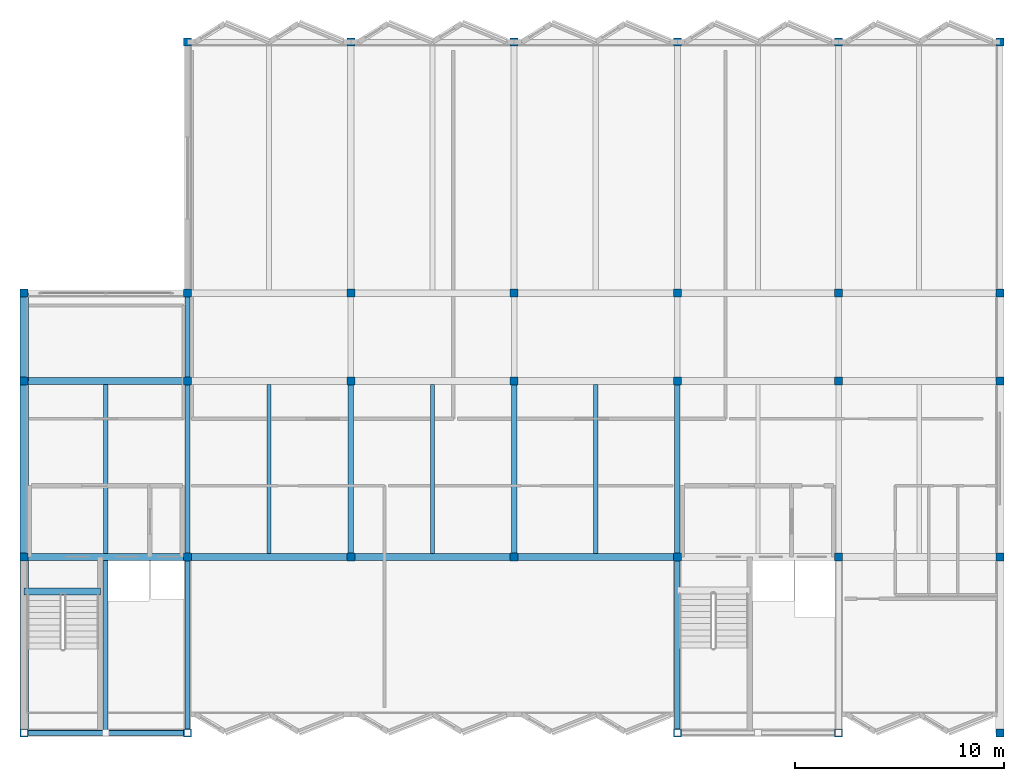
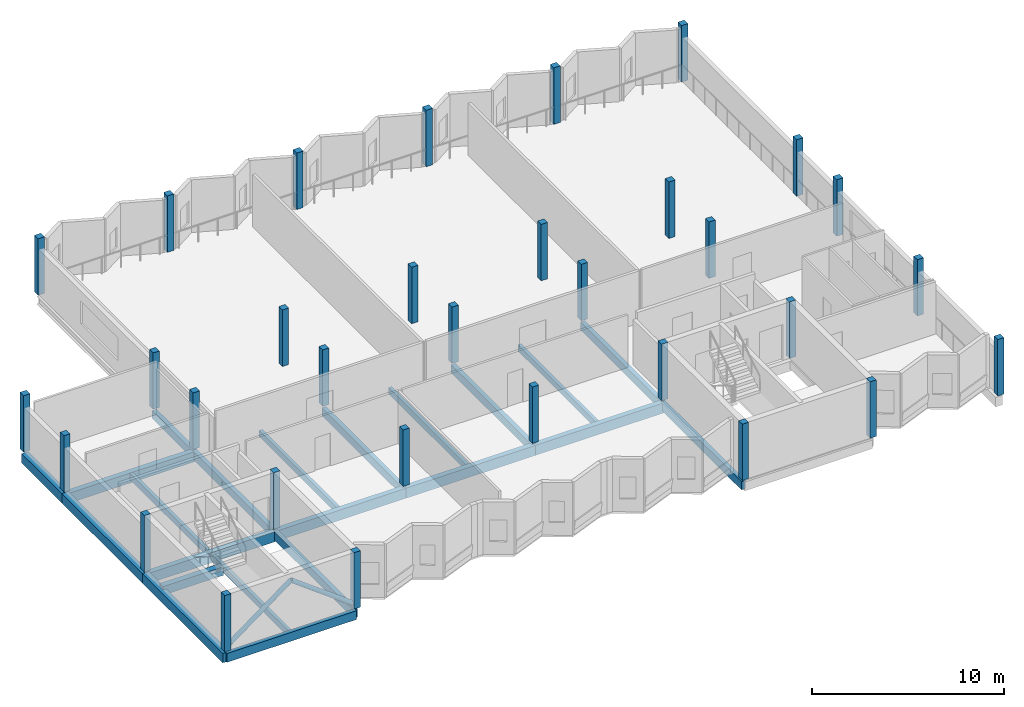
# One storey, part 1 of 11: 32 columns, 22 beams, 2 members.
"""IFC4 building model written with IfcOpenShell, lengths in metres."""

from ifc_helpers import new_model, si_unit, direction, frame, origin, origin_2d, place, context, subcontext, project, spatial, rectangle, hollow_circle, extrude, material, material_profile, profile_set, type_object, element, save


model = new_model("IFC4")

# Units and contexts
model_context = context("Model", 3, precision=1e-05, world=origin(), true_north=direction((0.0, 1.0)))
body_context = subcontext(model_context, "Body", "Model", "MODEL_VIEW")
ifc_project = project(units=[si_unit("LENGTHUNIT", "METRE"), si_unit("AREAUNIT", "SQUARE_METRE"), si_unit("VOLUMEUNIT", "CUBIC_METRE"), si_unit("PLANEANGLEUNIT", "RADIAN"), si_unit("MASSUNIT", "GRAM", prefix="KILO")], contexts=[model_context])

# Site, building, storey
site_placement = place(None, origin())
site = spatial("IfcSite", under=ifc_project, at=site_placement, CompositionType="ELEMENT")
building_placement = place(site_placement, origin())
building = spatial("IfcBuilding", under=site, at=building_placement, Name="Vharandega Faculty of Natural Sciences", CompositionType="ELEMENT")
storey_placement = place(building_placement, frame((0.0, 0.0, 36.0)))
storey = spatial("IfcBuildingStorey", under=building, at=storey_placement, Name="L09", CompositionType="ELEMENT", Elevation=36.0)

# Columns
ifc_material_1 = material(Name="Glulam GL32h", Category="wood")
ifc_material_profile_1 = material_profile(ifc_material_1, rectangle(XDim=0.3798828125, YDim=0.3798828125, at=origin_2d()), Name="GL32h 380x380")
ifc_profile_set_1 = profile_set([ifc_material_profile_1], Name="Glulam GL32h")
column_type = type_object("IfcColumnType", Name="Glulam Column 380x380", PredefinedType="COLUMN", material=ifc_profile_set_1)
for number, where, z_axis, x_axis, name in (
    (1, (114.800048828125, 64.0, 0.0), (0.0, 0.0, 1.0), (1.0, 0.0, 0.0), "Column 15/J L09"),
    (2, (114.800048828125, 72.39990234375, 0.0), (0.0, 0.0, 1.0), (1.0, 0.0, 0.0), "Column 15/K L09"),
    (3, (114.800048828125, 80.800048828125, 0.0), (0.0, 0.0, 1.0), (1.0, 0.0, 0.0), "Column 15/L L09"),
    (4, (114.800048828125, 85.0, 0.0), (0.0, 0.0, 1.0), (1.0, 0.0, 0.0), "Column 15/M L09"),
    (5, (122.60009765625, 64.0, 0.0), (0.0, 0.0, 1.0), (1.0, 0.0, 0.0), "Column 16/J L09"),
    (6, (122.60009765625, 72.39990234375, 0.0), (0.0, 0.0, 1.0), (1.0, 0.0, 0.0), "Column 16/K L09"),
    (7, (122.60009765625, 80.800048828125, 0.0), (0.0, 0.0, 1.0), (1.0, 0.0, 0.0), "Column 16/L L09"),
    (8, (122.60009765625, 85.0, 0.0), (0.0, 0.0, 1.0), (1.0, 0.0, 0.0), "Column 16/M L09"),
    (9, (122.60009765625, 97.0, 0.0), (0.0, 0.0, 1.0), (1.0, 0.0, 0.0), "Column 16/N L09"),
    (10, (130.39990234375, 72.39990234375, 0.0), (0.0, 0.0, 1.0), (1.0, 0.0, 0.0), "Column 17/K L09"),
    (11, (130.39990234375, 80.800048828125, 0.0), (0.0, 0.0, 1.0), (1.0, 0.0, 0.0), "Column 17/L L09"),
    (12, (130.39990234375, 85.0, 0.0), (0.0, 0.0, 1.0), (1.0, 0.0, 0.0), "Column 17/M L09"),
    (13, (130.39990234375, 97.0, 0.0), (0.0, 0.0, 1.0), (1.0, 0.0, 0.0), "Column 17/N L09"),
    (14, (138.199951171875, 72.39990234375, 0.0), (0.0, 0.0, 1.0), (1.0, 0.0, 0.0), "Column 18/K L09"),
    (15, (138.199951171875, 80.800048828125, 0.0), (0.0, 0.0, 1.0), (1.0, 0.0, 0.0), "Column 18/L L09"),
    (16, (138.199951171875, 85.0, 0.0), (0.0, 0.0, 1.0), (1.0, 0.0, 0.0), "Column 18/M L09"),
    (17, (138.199951171875, 97.0, 0.0), (0.0, 0.0, 1.0), (1.0, 0.0, 0.0), "Column 18/N L09"),
    (18, (146.0, 64.0, 0.0), (0.0, 0.0, 1.0), (1.0, 0.0, 0.0), "Column 19/J L09"),
    (19, (146.0, 72.39990234375, 0.0), (0.0, 0.0, 1.0), (1.0, 0.0, 0.0), "Column 19/K L09"),
    (20, (146.0, 80.800048828125, 0.0), (0.0, 0.0, 1.0), (1.0, 0.0, 0.0), "Column 19/L L09"),
    (21, (146.0, 85.0, 0.0), (0.0, 0.0, 1.0), (1.0, 0.0, 0.0), "Column 19/M L09"),
    (22, (146.0, 97.0, 0.0), (0.0, 0.0, 1.0), (1.0, 0.0, 0.0), "Column 19/N L09"),
    (23, (153.699951171875, 64.0, 0.0), (0.0, 0.0, 1.0), (1.0, 0.0, 0.0), "Column 20/J L09"),
    (24, (153.699951171875, 72.39990234375, 0.0), (0.0, 0.0, 1.0), (1.0, 0.0, 0.0), "Column 20/K L09"),
    (25, (153.699951171875, 80.800048828125, 0.0), (0.0, 0.0, 1.0), (1.0, 0.0, 0.0), "Column 20/L L09"),
    (26, (153.699951171875, 85.0, 0.0), (0.0, 0.0, 1.0), (1.0, 0.0, 0.0), "Column 20/M L09"),
    (27, (153.699951171875, 97.0, 0.0), (0.0, 0.0, 1.0), (1.0, 0.0, 0.0), "Column 20/N L09"),
    (28, (161.39990234375, 64.0, 0.0), (0.0, 0.0, 1.0), (1.0, 0.0, 0.0), "Column 21/J L09"),
    (29, (161.39990234375, 72.39990234375, 0.0), (0.0, 0.0, 1.0), (1.0, 0.0, 0.0), "Column 21/K L09"),
    (30, (161.39990234375, 80.800048828125, 0.0), (0.0, 0.0, 1.0), (1.0, 0.0, 0.0), "Column 21/L L09"),
    (31, (161.39990234375, 85.0, 0.0), (0.0, 0.0, 1.0), (1.0, 0.0, 0.0), "Column 21/M L09"),
    (32, (161.39990234375, 97.0, 0.0), (0.0, 0.0, 1.0), (1.0, 0.0, 0.0), "Column 21/N L09"),
):
    element("IfcColumn", number, at=place(storey_placement, frame(where, z_axis=z_axis, x_axis=x_axis)), inside=storey, type_object=column_type, Name=name, PredefinedType="COLUMN", context=body_context, shape_type="SweptSolid", body=[
        extrude(rectangle(XDim=0.3798828125, YDim=0.3798828125, at=origin_2d()), origin(), (0.0, 0.0, 1.0), 3.60009765625),
    ])

# Beams
ifc_material_2 = material(Name="Glulam GL28h", Category="wood")
ifc_material_profile_2 = material_profile(ifc_material_2, rectangle(XDim=0.260009765625, YDim=0.52001953125, at=origin_2d()), Name="GL28h 260x520")
ifc_profile_set_2 = profile_set([ifc_material_profile_2], Name="Glulam GL28h")
beam_type_1 = type_object("IfcBeamType", Name="Glulam Floor Beam 260x520", PredefinedType="BEAM", material=ifc_profile_set_2)
beam_1_placement = place(storey_placement, frame((122.60009765625, 64.0, -0.4599609375), z_axis=(0.0, 1.0, 0.0), x_axis=(-1.0, 0.0, 0.0)))
element("IfcBeam", 33, at=beam_1_placement, inside=storey, type_object=beam_type_1, Name="Beam L09 16/J-K", PredefinedType="BEAM", context=body_context, shape_type="SweptSolid", body=[
    extrude(rectangle(XDim=0.260009765625, YDim=0.52001953125, at=origin_2d()), origin(), (0.0, 0.0, 1.0), 8.39990234375),
])
beam_2_placement = place(storey_placement, frame((122.60009765625, 72.39990234375, -0.4599609375), z_axis=(0.0, 1.0, 0.0), x_axis=(-1.0, 0.0, 0.0)))
element("IfcBeam", 34, at=beam_2_placement, inside=storey, type_object=beam_type_1, Name="Beam L09 16/K-L", PredefinedType="BEAM", context=body_context, shape_type="SweptSolid", body=[
    extrude(rectangle(XDim=0.260009765625, YDim=0.52001953125, at=origin_2d()), origin(), (0.0, 0.0, 1.0), 8.400146484375),
])
beam_3_placement = place(storey_placement, frame((122.60009765625, 80.800048828125, -0.4599609375), z_axis=(0.0, 1.0, 0.0), x_axis=(-1.0, 0.0, 0.0)))
element("IfcBeam", 35, at=beam_3_placement, inside=storey, type_object=beam_type_1, Name="Beam L09 16/L-M", PredefinedType="BEAM", context=body_context, shape_type="SweptSolid", body=[
    extrude(rectangle(XDim=0.260009765625, YDim=0.52001953125, at=origin_2d()), origin(), (0.0, 0.0, 1.0), 4.199951171875),
])
for number, where, z_axis, x_axis, name in (
    (36, (130.39990234375, 72.39990234375, -0.4599609375), (0.0, 1.0, 0.0), (-1.0, 0.0, 0.0), "Beam L09 17/K-L"),
    (37, (138.199951171875, 72.39990234375, -0.4599609375), (0.0, 1.0, 0.0), (-1.0, 0.0, 0.0), "Beam L09 18/K-L"),
):
    element("IfcBeam", number, at=place(storey_placement, frame(where, z_axis=z_axis, x_axis=x_axis)), inside=storey, type_object=beam_type_1, Name=name, PredefinedType="BEAM", context=body_context, shape_type="SweptSolid", body=[
        extrude(rectangle(XDim=0.260009765625, YDim=0.52001953125, at=origin_2d()), origin(), (0.0, 0.0, 1.0), 8.400146484375),
    ])
beam_4_placement = place(storey_placement, frame((146.0, 64.0, -0.4599609375), z_axis=(0.0, 1.0, 0.0), x_axis=(-1.0, 0.0, 0.0)))
element("IfcBeam", 38, at=beam_4_placement, inside=storey, type_object=beam_type_1, Name="Beam L09 19/J-K", PredefinedType="BEAM", context=body_context, shape_type="SweptSolid", body=[
    extrude(rectangle(XDim=0.260009765625, YDim=0.52001953125, at=origin_2d()), origin(), (0.0, 0.0, 1.0), 8.39990234375),
])
beam_5_placement = place(storey_placement, frame((146.0, 72.39990234375, -0.4599609375), z_axis=(0.0, 1.0, 0.0), x_axis=(-1.0, 0.0, 0.0)))
element("IfcBeam", 39, at=beam_5_placement, inside=storey, type_object=beam_type_1, Name="Beam L09 19/K-L", PredefinedType="BEAM", context=body_context, shape_type="SweptSolid", body=[
    extrude(rectangle(XDim=0.260009765625, YDim=0.52001953125, at=origin_2d()), origin(), (0.0, 0.0, 1.0), 8.400146484375),
])
ifc_material_3 = material(Name="Glulam GL28h", Category="wood")
ifc_material_profile_3 = material_profile(ifc_material_3, rectangle(XDim=0.320068359375, YDim=0.639892578125, at=origin_2d()), Name="GL28h 320x640")
ifc_profile_set_3 = profile_set([ifc_material_profile_3], Name="Glulam GL28h")
beam_type_2 = type_object("IfcBeamType", Name="Glulam Floor Beam 320x640", PredefinedType="BEAM", material=ifc_profile_set_3)
beam_6_placement = place(storey_placement, frame((114.800048828125, 72.39990234375, -0.52001953125), z_axis=(1.0, 0.0, 0.0), x_axis=(0.0, 1.0, 0.0)))
element("IfcBeam", 40, at=beam_6_placement, inside=storey, type_object=beam_type_2, Name="Beam L09 K/15-16", PredefinedType="BEAM", context=body_context, shape_type="SweptSolid", body=[
    extrude(rectangle(XDim=0.320068359375, YDim=0.639892578125, at=origin_2d()), origin(), (0.0, 0.0, 1.0), 7.800048828125),
])
beam_7_placement = place(storey_placement, frame((122.60009765625, 72.39990234375, -0.52001953125), z_axis=(1.0, 0.0, 0.0), x_axis=(0.0, 1.0, 0.0)))
element("IfcBeam", 41, at=beam_7_placement, inside=storey, type_object=beam_type_2, Name="Beam L09 K/16-17", PredefinedType="BEAM", context=body_context, shape_type="SweptSolid", body=[
    extrude(rectangle(XDim=0.320068359375, YDim=0.639892578125, at=origin_2d()), origin(), (0.0, 0.0, 1.0), 7.7998046875),
])
for number, where, z_axis, x_axis, name in (
    (42, (130.39990234375, 72.39990234375, -0.52001953125), (1.0, 0.0, 0.0), (0.0, 1.0, 0.0), "Beam L09 K/17-18"),
    (43, (138.199951171875, 72.39990234375, -0.52001953125), (1.0, 0.0, 0.0), (0.0, 1.0, 0.0), "Beam L09 K/18-19"),
    (44, (114.800048828125, 80.800048828125, -0.52001953125), (1.0, 0.0, 0.0), (0.0, 1.0, 0.0), "Beam L09 L/15-16"),
):
    element("IfcBeam", number, at=place(storey_placement, frame(where, z_axis=z_axis, x_axis=x_axis)), inside=storey, type_object=beam_type_2, Name=name, PredefinedType="BEAM", context=body_context, shape_type="SweptSolid", body=[
        extrude(rectangle(XDim=0.320068359375, YDim=0.639892578125, at=origin_2d()), origin(), (0.0, 0.0, 1.0), 7.800048828125),
    ])
ifc_material_4 = material(Name="Glulam GL28h", Category="wood")
ifc_material_profile_4 = material_profile(ifc_material_4, rectangle(XDim=0.199951171875, YDim=0.39990234375, at=origin_2d()), Name="GL28h 200x400")
ifc_profile_set_4 = profile_set([ifc_material_profile_4], Name="Glulam GL28h")
beam_type_3 = type_object("IfcBeamType", Name="Glulam Secondary Joist 200x400", PredefinedType="JOIST", material=ifc_profile_set_4)
beam_8_placement = place(storey_placement, frame((118.699951171875, 64.1201171875, -0.39990234375), z_axis=(0.0, 1.0, 0.0), x_axis=(-1.0, 0.0, 0.0)))
element("IfcBeam", 45, at=beam_8_placement, inside=storey, type_object=beam_type_3, Name="Secondary Joist L09 15-16/J-K", PredefinedType="JOIST", context=body_context, shape_type="SweptSolid", body=[
    extrude(rectangle(XDim=0.199951171875, YDim=0.39990234375, at=origin_2d()), origin(), (0.0, 0.0, 1.0), 8.119873046875),
])
for number, where, z_axis, x_axis, name in (
    (46, (118.699951171875, 72.56005859375, -0.39990234375), (0.0, 1.0, 0.0), (-1.0, 0.0, 0.0), "Secondary Joist L09 15-16/K-L"),
    (47, (126.5, 72.56005859375, -0.39990234375), (0.0, 1.0, 0.0), (-1.0, 0.0, 0.0), "Secondary Joist L09 16-17/K-L"),
    (48, (134.300048828125, 72.56005859375, -0.39990234375), (0.0, 1.0, 0.0), (-1.0, 0.0, 0.0), "Secondary Joist L09 17-18/K-L"),
    (49, (142.10009765625, 72.56005859375, -0.39990234375), (0.0, 1.0, 0.0), (-1.0, 0.0, 0.0), "Secondary Joist L09 18-19/K-L"),
):
    element("IfcBeam", number, at=place(storey_placement, frame(where, z_axis=z_axis, x_axis=x_axis)), inside=storey, type_object=beam_type_3, Name=name, PredefinedType="JOIST", context=body_context, shape_type="SweptSolid", body=[
        extrude(rectangle(XDim=0.199951171875, YDim=0.39990234375, at=origin_2d()), origin(), (0.0, 0.0, 1.0), 8.079833984375),
    ])
ifc_material_5 = material(Name="Glulam GL28h", Category="wood")
ifc_material_profile_5 = material_profile(ifc_material_5, rectangle(XDim=0.239990234375, YDim=0.56005859375, at=origin_2d()), Name="GL28h 240x560")
ifc_profile_set_5 = profile_set([ifc_material_profile_5], Name="Glulam GL28h")
beam_type_4 = type_object("IfcBeamType", Name="Glulam Spandrel Edge Beam 240x560", PredefinedType="SPANDREL", material=ifc_profile_set_5)
beam_9_placement = place(storey_placement, frame((114.800048828125, 64.0, -0.47998046875), z_axis=(1.0, 0.0, 0.0), x_axis=(0.0, 1.0, 0.0)))
element("IfcBeam", 50, at=beam_9_placement, inside=storey, type_object=beam_type_4, Name="Beam L09 J/15-16", PredefinedType="SPANDREL", context=body_context, shape_type="SweptSolid", body=[
    extrude(rectangle(XDim=0.239990234375, YDim=0.56005859375, at=origin_2d()), origin(), (0.0, 0.0, 1.0), 7.800048828125),
])
ifc_material_6 = material(Name="Glulam GL32h", Category="wood")
ifc_material_profile_6 = material_profile(ifc_material_6, rectangle(XDim=0.39990234375, YDim=0.60009765625, at=origin_2d()), Name="GL32h 400x600")
ifc_profile_set_6 = profile_set([ifc_material_profile_6], Name="Glulam GL32h")
beam_type_5 = type_object("IfcBeamType", Name="Glulam Spine Girder 400x600", PredefinedType="BEAM", material=ifc_profile_set_6)
beam_10_placement = place(storey_placement, frame((114.800048828125, 64.0, -0.5), z_axis=(0.0, 1.0, 0.0), x_axis=(-1.0, 0.0, 0.0)))
element("IfcBeam", 51, at=beam_10_placement, inside=storey, type_object=beam_type_5, Name="Beam L09 15/J-K", PredefinedType="BEAM", context=body_context, shape_type="SweptSolid", body=[
    extrude(rectangle(XDim=0.39990234375, YDim=0.60009765625, at=origin_2d()), origin(), (0.0, 0.0, 1.0), 8.39990234375),
])
beam_11_placement = place(storey_placement, frame((114.800048828125, 72.39990234375, -0.5), z_axis=(0.0, 1.0, 0.0), x_axis=(-1.0, 0.0, 0.0)))
element("IfcBeam", 52, at=beam_11_placement, inside=storey, type_object=beam_type_5, Name="Beam L09 15/K-L", PredefinedType="BEAM", context=body_context, shape_type="SweptSolid", body=[
    extrude(rectangle(XDim=0.39990234375, YDim=0.60009765625, at=origin_2d()), origin(), (0.0, 0.0, 1.0), 8.400146484375),
])
beam_12_placement = place(storey_placement, frame((114.800048828125, 80.800048828125, -0.5), z_axis=(0.0, 1.0, 0.0), x_axis=(-1.0, 0.0, 0.0)))
element("IfcBeam", 53, at=beam_12_placement, inside=storey, type_object=beam_type_5, Name="Beam L09 15/L-M", PredefinedType="BEAM", context=body_context, shape_type="SweptSolid", body=[
    extrude(rectangle(XDim=0.39990234375, YDim=0.60009765625, at=origin_2d()), origin(), (0.0, 0.0, 1.0), 4.199951171875),
])

# Members
ifc_material_7 = material(Name="Steel S355", Category="steel")
ifc_material_profile_7 = material_profile(ifc_material_7, hollow_circle(Radius=0.136474609375, WallThickness=0.01611328125, at=origin_2d()), Name="CHS 273x16")
ifc_profile_set_7 = profile_set([ifc_material_profile_7], Name="Steel S355")
member_type = type_object("IfcMemberType", Name="Perimeter Chevron Brace CHS 273", PredefinedType="BRACE", material=ifc_profile_set_7)
member_1_placement = place(storey_placement, frame((114.800048828125, 64.0, 0.14990234375), z_axis=(0.802440753761, 0.0, 0.59673179629), x_axis=(0.0, 1.0, 0.0)))
element("IfcMember", 54, at=member_1_placement, inside=storey, type_object=member_type, Name="Chevron Brace J L09-1", PredefinedType="BRACE", context=body_context, shape_type="SweptSolid", body=[
    extrude(hollow_circle(Radius=0.136474609375, WallThickness=0.01611328125, at=origin_2d()), origin(), (0.0, 0.0, 1.0), 4.860107421875),
])
member_2_placement = place(storey_placement, frame((122.60009765625, 64.0, 0.14990234375), z_axis=(-0.80245864051, 0.0, 0.596707742761), x_axis=(0.0, -1.0, 0.0)))
element("IfcMember", 55, at=member_2_placement, inside=storey, type_object=member_type, Name="Chevron Brace J L09-2", PredefinedType="BRACE", context=body_context, shape_type="SweptSolid", body=[
    extrude(hollow_circle(Radius=0.136474609375, WallThickness=0.01611328125, at=origin_2d()), origin(), (0.0, 0.0, 1.0), 4.8603515625),
])

# Beam
ifc_material_8 = material(Name="Concrete C40/50", Category="concrete")
ifc_material_profile_8 = material_profile(ifc_material_8, rectangle(XDim=0.35009765625, YDim=0.550048828125, at=origin_2d()), Name="RC 350x550")
ifc_profile_set_8 = profile_set([ifc_material_profile_8], Name="Concrete C40/50")
beam_type_6 = type_object("IfcBeamType", Name="Stair Header Trimmer Beam 350x550", PredefinedType="BEAM", material=ifc_profile_set_8)
beam_13_placement = place(storey_placement, frame((114.800048828125, 70.75, -0.27490234375), z_axis=(1.0, 0.0, 0.0), x_axis=(0.0, 1.0, 0.0)))
element("IfcBeam", 56, at=beam_13_placement, inside=storey, type_object=beam_type_6, Name="Stair Landing Trimmer Beam C1 L09", PredefinedType="BEAM", context=body_context, shape_type="SweptSolid", body=[
    extrude(rectangle(XDim=0.35009765625, YDim=0.550048828125, at=origin_2d()), origin(), (0.0, 0.0, 1.0), 3.639892578125),
])

save(model, "model.ifc")
